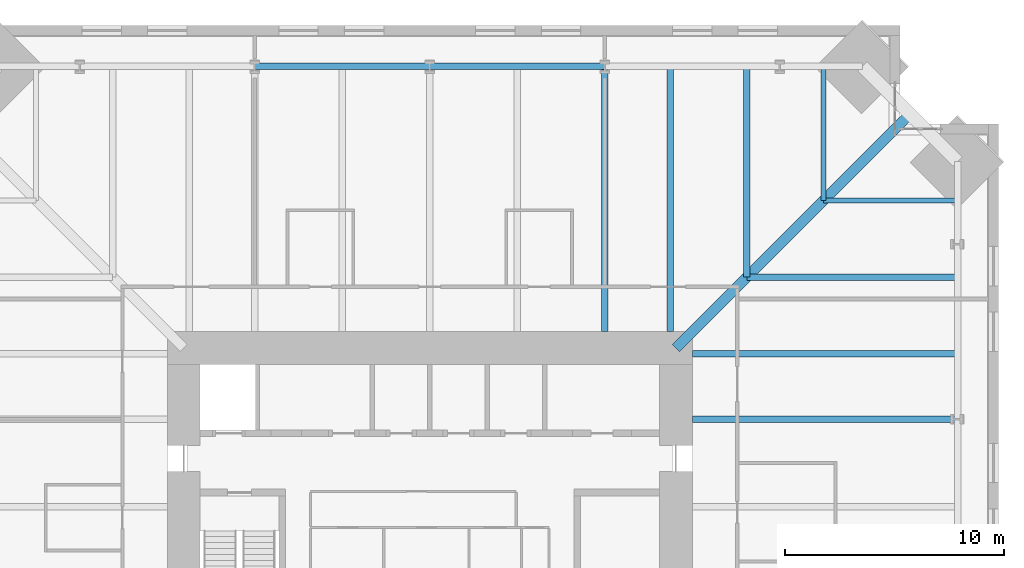
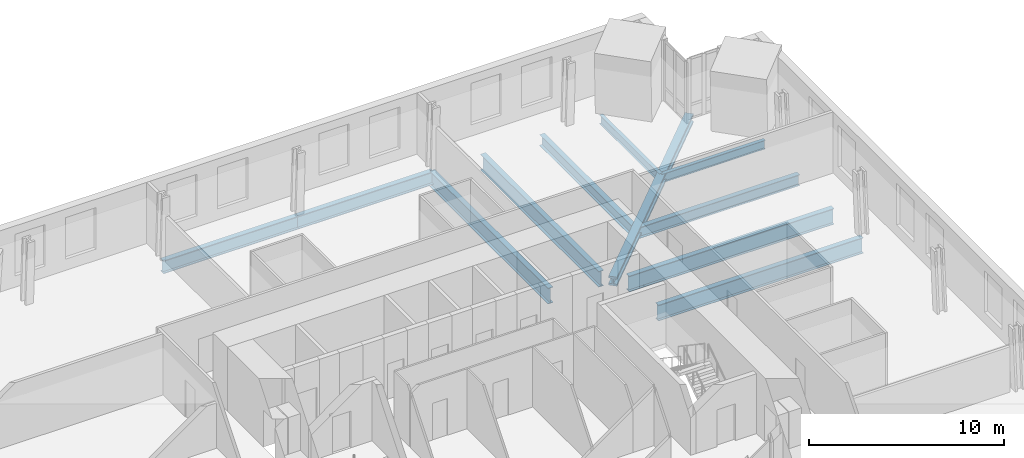
# One storey, part 9 of 18: 11 beams.
"""IFC4 building model written with IfcOpenShell, lengths in metres."""

from ifc_helpers import new_model, si_unit, direction, frame, origin, origin_2d, place, context, subcontext, project, spatial, i_section, extrude, material, material_profile, profile_set, type_object, element, save


model = new_model("IFC4")

# Units and contexts
model_context = context("Model", 3, precision=1e-05, world=origin(), true_north=direction((0.0, 1.0)))
body_context = subcontext(model_context, "Body", "Model", "MODEL_VIEW")
ifc_project = project(units=[si_unit("LENGTHUNIT", "METRE"), si_unit("AREAUNIT", "SQUARE_METRE"), si_unit("VOLUMEUNIT", "CUBIC_METRE"), si_unit("PLANEANGLEUNIT", "RADIAN"), si_unit("MASSUNIT", "GRAM", prefix="KILO")], contexts=[model_context])

# Site, building, storey
site_placement = place(None, origin())
site = spatial("IfcSite", under=ifc_project, at=site_placement, CompositionType="ELEMENT")
building_placement = place(site_placement, origin())
building = spatial("IfcBuilding", under=site, at=building_placement, Name="Peilmerk Tower", CompositionType="ELEMENT")
storey_placement = place(building_placement, frame((0.0, 0.0, 167.800048828125)))
storey = spatial("IfcBuildingStorey", under=building, at=storey_placement, Name="L35", CompositionType="ELEMENT", Elevation=167.800048828125)

# Beams
ifc_material_1 = material(Name="Steel S355", Category="steel")
ifc_material_profile_1 = material_profile(ifc_material_1, i_section(OverallWidth=0.2099609375, OverallDepth=0.550048828125, WebThickness=0.010986328125, FlangeThickness=0.01708984375, at=origin_2d()), Name="IPE 550")
ifc_profile_set_1 = profile_set([ifc_material_profile_1], Name="Steel S355")
beam_type_1 = type_object("IfcBeamType", Name="B12 IPE 550 floor beam", PredefinedType="BEAM", material=ifc_profile_set_1)
for number, where, z_axis, x_axis, name in (
    (1, (18.0, 18.0, -0.445068359375), (0.0, 1.0, 0.0), (-1.0, 0.0, 0.0), "Floor beam L35"),
    (2, (18.0, 18.0, -0.445068359375), (1.0, 0.0, 0.0), (0.0, 1.0, 0.0), "Floor beam L35"),
):
    element("IfcBeam", number, at=place(storey_placement, frame(where, z_axis=z_axis, x_axis=x_axis)), inside=storey, type_object=beam_type_1, Name=name, PredefinedType="BEAM", context=body_context, shape_type="SweptSolid", body=[
        extrude(i_section(OverallWidth=0.2099609375, OverallDepth=0.550048828125, WebThickness=0.010986328125, FlangeThickness=0.01708984375, at=origin_2d()), origin(), (0.0, 0.0, 1.0), 6.130615234375),
    ])
ifc_material_profile_2 = material_profile(ifc_material_1, i_section(OverallWidth=0.300048828125, OverallDepth=0.989990234375, WebThickness=0.0166015625, FlangeThickness=0.031005859375, at=origin_2d()), Name="HEA 1000")
ifc_profile_set_2 = profile_set([ifc_material_profile_2], Name="Steel S355")
beam_type_2 = type_object("IfcBeamType", Name="B14 HEA 1000 floor girder", PredefinedType="BEAM", material=ifc_profile_set_2)
for number, where, z_axis, x_axis, name in (
    (3, (11.0, 12.0, -0.6650390625), (0.0, 1.0, 0.0), (-1.0, 0.0, 0.0), "Floor beam L35"),
    (4, (8.0, 12.0, -0.6650390625), (0.0, 1.0, 0.0), (-1.0, 0.0, 0.0), "Floor beam L35"),
    (5, (12.0, 8.0, -0.6650390625), (1.0, 0.0, 0.0), (0.0, 1.0, 0.0), "Floor beam L35"),
    (6, (12.0, 11.0, -0.6650390625), (1.0, 0.0, 0.0), (0.0, 1.0, 0.0), "Floor beam L35"),
):
    element("IfcBeam", number, at=place(storey_placement, frame(where, z_axis=z_axis, x_axis=x_axis)), inside=storey, type_object=beam_type_2, Name=name, PredefinedType="BEAM", context=body_context, shape_type="SweptSolid", body=[
        extrude(i_section(OverallWidth=0.300048828125, OverallDepth=0.989990234375, WebThickness=0.0166015625, FlangeThickness=0.031005859375, at=origin_2d()), origin(), (0.0, 0.0, 1.0), 12.130615234375),
    ])
ifc_material_profile_3 = material_profile(ifc_material_1, i_section(OverallWidth=0.302978515625, OverallDepth=0.81396484375, WebThickness=0.02099609375, FlangeThickness=0.0400390625, at=origin_2d()), Name="HEM 800")
ifc_profile_set_3 = profile_set([ifc_material_profile_3], Name="Steel S355")
beam_type_3 = type_object("IfcBeamType", Name="B15 HEM 800 edge beam", PredefinedType="SPANDREL", material=ifc_profile_set_3)
for number, where, z_axis, x_axis, name in (
    (7, (8.0, 24.130615234375, -0.5771484375), (-1.0, 0.0, 0.0), (0.0, -1.0, 0.0), "Edge beam L35"),
    (8, (0.0, 24.130615234375, -0.5771484375), (-1.0, 0.0, 0.0), (0.0, -1.0, 0.0), "Edge beam L35"),
):
    element("IfcBeam", number, at=place(storey_placement, frame(where, z_axis=z_axis, x_axis=x_axis)), inside=storey, type_object=beam_type_3, Name=name, PredefinedType="SPANDREL", context=body_context, shape_type="SweptSolid", body=[
        extrude(i_section(OverallWidth=0.302978515625, OverallDepth=0.81396484375, WebThickness=0.02099609375, FlangeThickness=0.0400390625, at=origin_2d()), origin(), (0.0, 0.0, 1.0), 8.0),
    ])
ifc_material_profile_4 = material_profile(ifc_material_1, i_section(OverallWidth=0.300048828125, OverallDepth=0.68994140625, WebThickness=0.014404296875, FlangeThickness=0.027099609375, at=origin_2d()), Name="HEA 700")
ifc_profile_set_4 = profile_set([ifc_material_profile_4], Name="Steel S355")
beam_type_4 = type_object("IfcBeamType", Name="B16 HEA 700 floor beam", PredefinedType="BEAM", material=ifc_profile_set_4)
for number, where, z_axis, x_axis, name in (
    (9, (14.5, 14.5, -0.51513671875), (0.0, 1.0, 0.0), (-1.0, 0.0, 0.0), "Floor beam L35"),
    (10, (14.5, 14.5, -0.51513671875), (1.0, 0.0, 0.0), (0.0, 1.0, 0.0), "Floor beam L35"),
):
    element("IfcBeam", number, at=place(storey_placement, frame(where, z_axis=z_axis, x_axis=x_axis)), inside=storey, type_object=beam_type_4, Name=name, PredefinedType="BEAM", context=body_context, shape_type="SweptSolid", body=[
        extrude(i_section(OverallWidth=0.300048828125, OverallDepth=0.68994140625, WebThickness=0.014404296875, FlangeThickness=0.027099609375, at=origin_2d()), origin(), (0.0, 0.0, 1.0), 9.630615234375),
    ])
ifc_material_2 = material(Name="Steel S460", Category="steel")
ifc_material_profile_5 = material_profile(ifc_material_2, i_section(OverallWidth=0.4541015625, OverallDepth=0.569091796875, WebThickness=0.077880859375, FlangeThickness=0.125, at=origin_2d()), Name="HD 400x1086")
ifc_profile_set_5 = profile_set([ifc_material_profile_5], Name="Steel S460")
beam_type_5 = type_object("IfcBeamType", Name="B9 HD 400x1086 corner girder", PredefinedType="BEAM", material=ifc_profile_set_5)
beam_placement = place(storey_placement, frame((11.25, 11.25, -0.45458984375), z_axis=(0.707106781187, 0.707106781187, 0.0), x_axis=(-0.707106781187, 0.707106781187, 0.0)))
element("IfcBeam", 11, at=beam_placement, inside=storey, type_object=beam_type_5, Name="Corner girder L35", PredefinedType="BEAM", context=body_context, shape_type="SweptSolid", body=[
    extrude(i_section(OverallWidth=0.4541015625, OverallDepth=0.569091796875, WebThickness=0.077880859375, FlangeThickness=0.125, at=origin_2d()), origin(), (0.0, 0.0, 1.0), 15.139892578125),
])

save(model, "model.ifc")
